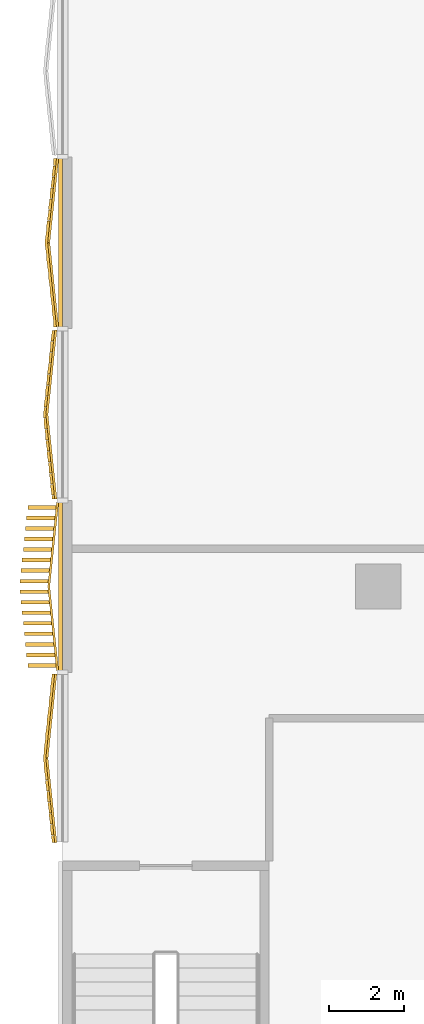
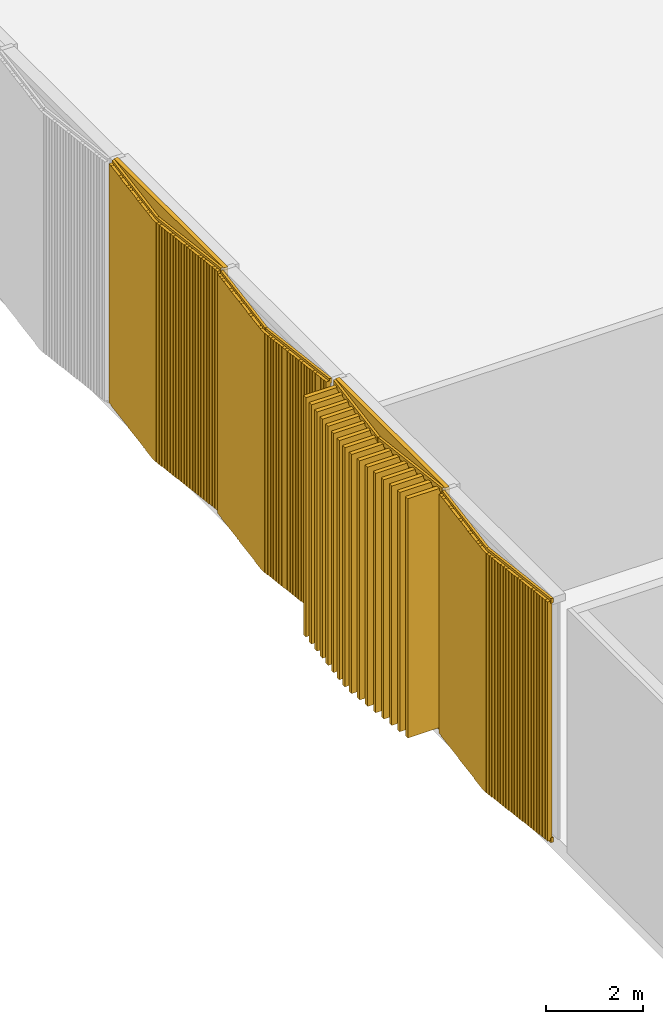
# One storey, part 22 of 32: 6 coverings.
"""IFC4 building model written with IfcOpenShell, lengths in metres."""

import ifcopenshell
import ifcopenshell.guid

model = None  # the IFC model being written
_history = None  # IfcOwnerHistory: only IFC2X3 demands one
_inside = {}  # id of a spatial element -> (the spatial element, [elements in it])
_under = {}  # id of a project, library or spatial element -> (it, [spatial elements below it])
_declared = {}  # id of a project -> (the project, [libraries it declares])
_typed = {}  # id of a type object -> (the type object, [elements of that type])
_made_of = {}  # id of a material, layer set ... -> (it, [elements and type objects made of it])


def new_model(schema):
    """Start an empty IFC model of exactly this schema.

    Asked for "IFC4X3", IfcOpenShell would pick the latest addendum, in which some entities
    have other attributes; the version numbers below select the first issue.
    IFC2X3 requires an IfcOwnerHistory on every rooted entity: one is made here for all.
    """
    global model, _history
    if schema == "IFC4X3":
        model = ifcopenshell.file(schema_version=(4, 3, 0, 0))
    else:
        model = ifcopenshell.file(schema=schema)
    _inside.clear()
    _under.clear()
    _declared.clear()
    _typed.clear()
    _made_of.clear()
    _history = None
    if model.schema == "IFC2X3":
        org = make("IfcOrganization", Name="unknown")
        user = make(
            "IfcPersonAndOrganization",
            ThePerson=make("IfcPerson", FamilyName="unknown"),
            TheOrganization=org,
        )
        app = make(
            "IfcApplication",
            ApplicationDeveloper=org,
            Version="unknown",
            ApplicationFullName="unknown",
            ApplicationIdentifier="unknown",
        )
        _history = make(
            "IfcOwnerHistory",
            OwningUser=user,
            OwningApplication=app,
            ChangeAction="ADDED",
            CreationDate=0,
        )
    return model


def make(cls, **values):
    """One entity of the class cls with the attributes given. An attribute that is None is left unset."""
    return model.create_entity(
        cls, **{name: value for name, value in values.items() if value is not None}
    )


def rooted(cls, **values):
    """An entity with a GlobalId (a new one), such as an element, a storey or a relation."""
    return make(cls, GlobalId=ifcopenshell.guid.new(), OwnerHistory=_history, **values)


def si_unit(unit_type, name, prefix=None):
    """IfcSIUnit, for example si_unit("LENGTHUNIT", "METRE", prefix="MILLI")."""
    return make("IfcSIUnit", UnitType=unit_type, Prefix=prefix, Name=name)


def assignment(units):
    """IfcUnitAssignment: the units of a project."""
    return None if units is None else make("IfcUnitAssignment", Units=units)


def point(xyz):
    """IfcCartesianPoint."""
    return None if xyz is None else make("IfcCartesianPoint", Coordinates=xyz)


def direction(xyz):
    """IfcDirection."""
    return None if xyz is None else make("IfcDirection", DirectionRatios=xyz)


def frame(location, z_axis=None, x_axis=None):
    """IfcAxis2Placement3D, a coordinate frame: its origin and axes. An axis left out is left unset."""
    return make(
        "IfcAxis2Placement3D",
        Location=point(location),
        Axis=direction(z_axis),
        RefDirection=direction(x_axis),
    )


def frame_2d(location, x_axis=None):
    """IfcAxis2Placement2D, a coordinate frame in the plane: its origin and x axis."""
    return make(
        "IfcAxis2Placement2D", Location=point(location), RefDirection=direction(x_axis)
    )


def origin():
    """The frame at (0, 0, 0) with its axes left unset."""
    return frame((0.0, 0.0, 0.0))


def origin_2d():
    """The frame at (0, 0) in the plane with its x axis left unset."""
    return frame_2d((0.0, 0.0))


def place(relative_to, where):
    """IfcLocalPlacement: puts the frame where relative to a parent placement (None: the world)."""
    return make(
        "IfcLocalPlacement", PlacementRelTo=relative_to, RelativePlacement=where
    )


def context(
    kind, dimensions, precision=None, world=None, true_north=None, identifier=None
):
    """IfcGeometricRepresentationContext, for example the 3D "Model" context."""
    return make(
        "IfcGeometricRepresentationContext",
        ContextIdentifier=identifier,
        ContextType=kind,
        CoordinateSpaceDimension=dimensions,
        Precision=precision,
        WorldCoordinateSystem=world,
        TrueNorth=true_north,
    )


def subcontext(parent, identifier, kind, view, scale=None):
    """IfcGeometricRepresentationSubContext, for example "Body" below "Model"."""
    return make(
        "IfcGeometricRepresentationSubContext",
        ContextIdentifier=identifier,
        ContextType=kind,
        ParentContext=parent,
        TargetScale=scale,
        TargetView=view,
    )


def project(units=None, contexts=None):
    """IfcProject with its units and contexts."""
    return rooted(
        "IfcProject",
        Name="project",
        RepresentationContexts=contexts,
        UnitsInContext=assignment(units),
    )


def spatial(cls, under=None, at=None, **own):
    """A site, building, storey or space (cls), placed at a placement, below another one or the project."""
    s = rooted(cls, ObjectPlacement=at, **own)
    if under is not None:
        _under.setdefault(under.id(), (under, []))[1].append(s)
    return s


def profile(cls, at=None, kind="AREA", **sizes):
    """A parametric profile (cls). Its sizes go by their IFC names, for example OverallWidth=200.0."""
    return make(cls, ProfileType=kind, Position=at, **sizes)


def rectangle(**sizes):
    """IfcRectangleProfileDef."""
    return profile("IfcRectangleProfileDef", **sizes)


def extrude(swept, where, along, depth):
    """IfcExtrudedAreaSolid: the profile swept, set in the frame where, extruded along a direction by depth."""
    return make(
        "IfcExtrudedAreaSolid",
        SweptArea=swept,
        Position=where,
        ExtrudedDirection=direction(along),
        Depth=depth,
    )


def shape(context_of_items, identifier, shape_type, items):
    """IfcShapeRepresentation: the items that make up one representation, for example the "Body"."""
    return make(
        "IfcShapeRepresentation",
        ContextOfItems=context_of_items,
        RepresentationIdentifier=identifier,
        RepresentationType=shape_type,
        Items=items,
    )


def source(mapping_origin, context_of_items, identifier, shape_type, items):
    """IfcRepresentationMap: a shape defined once, which mapped items show again and again."""
    return make(
        "IfcRepresentationMap",
        MappingOrigin=mapping_origin,
        MappedRepresentation=shape(context_of_items, identifier, shape_type, items),
    )


def transform(
    local_origin,
    x_axis=None,
    y_axis=None,
    z_axis=None,
    scale=None,
    scale2=None,
    scale3=None,
    uniform=True,
):
    """IfcCartesianTransformationOperator3D, or its non-uniform kind. x_axis, y_axis, z_axis: its Axis1, 2, 3."""
    if uniform:
        return make(
            "IfcCartesianTransformationOperator3D",
            Axis1=direction(x_axis),
            Axis2=direction(y_axis),
            LocalOrigin=point(local_origin),
            Scale=scale,
            Axis3=direction(z_axis),
        )
    return make(
        "IfcCartesianTransformationOperator3DnonUniform",
        Axis1=direction(x_axis),
        Axis2=direction(y_axis),
        LocalOrigin=point(local_origin),
        Scale=scale,
        Axis3=direction(z_axis),
        Scale2=scale2,
        Scale3=scale3,
    )


def mapped(mapping_source, mapping_target):
    """IfcMappedItem: shows the shape of a source again, moved by a transform."""
    return make(
        "IfcMappedItem", MappingSource=mapping_source, MappingTarget=mapping_target
    )


def material(Name=None, Category=None):
    """IfcMaterial."""
    return make("IfcMaterial", Name=Name, Category=Category)


def layer(
    of_material, thickness, ventilated=None, Name=None, Category=None, Priority=None
):
    """IfcMaterialLayer: one layer of a wall or slab, of a material (None: an air gap)."""
    return make(
        "IfcMaterialLayer",
        Material=of_material,
        LayerThickness=thickness,
        IsVentilated=ventilated,
        Name=Name,
        Category=Category,
        Priority=Priority,
    )


def layer_set(layers, Name=None):
    """IfcMaterialLayerSet."""
    return make("IfcMaterialLayerSet", MaterialLayers=layers, LayerSetName=Name)


def made_of(thing, what):
    """Note that an element or type object is made of a material, layer set ...; save() writes the relation."""
    if what is not None:
        _made_of.setdefault(what.id(), (what, []))[1].append(thing)
    return thing


def type_object(cls, material=None, **own):
    """A type object (cls), such as IfcWallType, which elements share."""
    return made_of(rooted(cls, **own), material)


def element(
    cls,
    number,
    at=None,
    inside=None,
    cuts=None,
    type_object=None,
    material=None,
    context=None,
    identifier="Body",
    shape_type=None,
    held_by="IfcProductDefinitionShape",
    body=None,
    shapes=None,
    **own,
):
    """One element of the class cls, such as IfcWall. Its Tag is "e" and its number.

    at: its placement. inside: the storey or other place that contains it. cuts: it is an
    opening in that element (IfcRelVoidsElement). A single representation is given by context,
    identifier, shape_type and body (its items); several are given by shapes. held_by: the class
    of the entity that holds the representations. save() writes the other relations.
    """
    e = rooted(cls, Tag="e%d" % number, ObjectPlacement=at, **own)
    if body is not None:
        shapes = [shape(context, identifier, shape_type, body)]
    if shapes is not None:
        e.Representation = make(held_by, Representations=shapes)
    if inside is not None:
        _inside.setdefault(inside.id(), (inside, []))[1].append(e)
    if cuts is not None:
        rooted(
            "IfcRelVoidsElement", RelatingBuildingElement=cuts, RelatedOpeningElement=e
        )
    if type_object is not None:
        _typed.setdefault(type_object.id(), (type_object, []))[1].append(e)
    return made_of(e, material)


def aggregate(whole, parts):
    """IfcRelAggregates: a whole, such as a stair, and the parts it consists of."""
    return rooted("IfcRelAggregates", RelatingObject=whole, RelatedObjects=parts)


def save(model, path):
    """Write the relations noted so far, then the file.

    IfcRelAggregates (storeys below a building ...), IfcRelContainedInSpatialStructure (elements
    in a storey), IfcRelDefinesByType, IfcRelAssociatesMaterial and IfcRelDeclares: one each for
    every whole, place, type object, material and project.
    """
    for whole, parts in _under.values():
        aggregate(whole, parts)
    for where, things in _inside.values():
        rooted(
            "IfcRelContainedInSpatialStructure",
            RelatedElements=things,
            RelatingStructure=where,
        )
    for kind, things in _typed.values():
        rooted("IfcRelDefinesByType", RelatedObjects=things, RelatingType=kind)
    for what, things in _made_of.values():
        rooted("IfcRelAssociatesMaterial", RelatedObjects=things, RelatingMaterial=what)
    for by, libraries in _declared.values():
        rooted("IfcRelDeclares", RelatingContext=by, RelatedDefinitions=libraries)
    model.write(path)


model = new_model("IFC4")

# Units and contexts
model_context = context("Model", 3, precision=1e-05, world=origin(), true_north=direction((0.0, 1.0)))
body_context = subcontext(model_context, "Body", "Model", "MODEL_VIEW")
ifc_project = project(units=[si_unit("LENGTHUNIT", "METRE"), si_unit("AREAUNIT", "SQUARE_METRE"), si_unit("VOLUMEUNIT", "CUBIC_METRE"), si_unit("PLANEANGLEUNIT", "RADIAN"), si_unit("MASSUNIT", "GRAM", prefix="KILO")], contexts=[model_context])

# Site, building, storey
site_placement = place(None, origin())
site = spatial("IfcSite", under=ifc_project, at=site_placement, CompositionType="ELEMENT")
building_placement = place(site_placement, origin())
building = spatial("IfcBuilding", under=site, at=building_placement, Name="Tamra Quay Hotel Tower", CompositionType="ELEMENT")
storey_placement = place(building_placement, frame((0.0, 0.0, 7.5)))
storey = spatial("IfcBuildingStorey", under=building, at=storey_placement, Name="L01", CompositionType="ELEMENT", Elevation=7.5)

# Coverings
ifc_material_1 = material(Name="Precast concrete M60 terracotta-coloured pierced relief", Category="masonry")
ifc_layer = layer(ifc_material_1, 0.10009765625)
ifc_layer_set = layer_set([ifc_layer], Name="PIERCED RELIEF PANEL 100")
covering_type_1 = type_object("IfcCoveringType", Name="PIERCED RELIEF PANEL 100", PredefinedType="CLADDING", material=ifc_layer_set)
for number, where, z_axis, x_axis, name in (
    (1, (-89.14990234375, -6.857177734375, 0.0), (0.0, 0.0, 1.0), (0.0, -1.0, 0.0), "Relief panel L01.W.06"),
    (2, (-89.14990234375, -16.0, 0.0), (0.0, 0.0, 1.0), (0.0, -1.0, 0.0), "Relief panel L01.W.08"),
):
    element("IfcCovering", number, at=place(storey_placement, frame(where, z_axis=z_axis, x_axis=x_axis)), inside=storey, type_object=covering_type_1, Name=name, PredefinedType="CLADDING", context=body_context, shape_type="SweptSolid", body=[
        extrude(rectangle(XDim=4.551513671875, YDim=0.10009765625, at=origin_2d()), origin(), (0.0, 0.0, 1.0), 6.14990234375),
    ])
ifc_material_2 = material(Name="Terracotta baguette extruded", Category="masonry")
covering_type_2 = type_object("IfcCoveringType", Name="BAGUETTE SCREEN PODIUM-SHALLOW H6150", PredefinedType="USERDEFINED", material=ifc_material_2)
shared_shape_1 = source(origin(), body_context, "Body", "SweptSolid", [
    extrude(rectangle(XDim=2.2548828125, YDim=0.06005859375, at=frame_2d((1.12744140625, 0.030029296875))), frame((-2.248779296875, -0.0576171875, -0.1201171875), z_axis=(0.0, 0.0, 1.0), x_axis=(0.994521895368, -0.104528463268, 0.0)), (0.0, 0.0, 1.0), 0.1201171875),
    extrude(rectangle(XDim=2.2548828125, YDim=0.06005859375, at=frame_2d((1.12744140625, 0.030029296875))), frame((-2.248779296875, -0.0576171875, -6.14990234375), z_axis=(0.0, 0.0, 1.0), x_axis=(0.994521895368, -0.104528463268, 0.0)), (0.0, 0.0, 1.0), 0.1201171875),
    extrude(rectangle(XDim=0.094970703125, YDim=0.10009765625, at=frame_2d((0.04736328125, 0.050048828125))), frame((-2.2412109375, -0.133056640625, -6.090087890625)), (0.0, 0.0, 1.0), 6.030029296875),
    extrude(rectangle(XDim=0.094970703125, YDim=0.10009765625, at=frame_2d((0.04736328125, 0.050048828125))), frame((-2.143798828125, -0.143310546875, -6.090087890625)), (0.0, 0.0, 1.0), 6.030029296875),
    extrude(rectangle(XDim=0.094970703125, YDim=0.10009765625, at=frame_2d((0.04736328125, 0.050048828125))), frame((-2.046142578125, -0.153564453125, -6.090087890625)), (0.0, 0.0, 1.0), 6.030029296875),
    extrude(rectangle(XDim=0.094970703125, YDim=0.10009765625, at=frame_2d((0.04736328125, 0.050048828125))), frame((-1.94873046875, -0.163818359375, -6.090087890625)), (0.0, 0.0, 1.0), 6.030029296875),
    extrude(rectangle(XDim=0.094970703125, YDim=0.10009765625, at=frame_2d((0.04736328125, 0.050048828125))), frame((-1.851318359375, -0.174072265625, -6.090087890625)), (0.0, 0.0, 1.0), 6.030029296875),
    extrude(rectangle(XDim=0.094970703125, YDim=0.10009765625, at=frame_2d((0.04736328125, 0.050048828125))), frame((-1.753662109375, -0.184326171875, -6.090087890625)), (0.0, 0.0, 1.0), 6.030029296875),
    extrude(rectangle(XDim=0.094970703125, YDim=0.10009765625, at=frame_2d((0.04736328125, 0.050048828125))), frame((-1.65625, -0.194580078125, -6.090087890625)), (0.0, 0.0, 1.0), 6.030029296875),
    extrude(rectangle(XDim=0.094970703125, YDim=0.10009765625, at=frame_2d((0.04736328125, 0.050048828125))), frame((-1.558837890625, -0.204833984375, -6.090087890625)), (0.0, 0.0, 1.0), 6.030029296875),
    extrude(rectangle(XDim=0.094970703125, YDim=0.10009765625, at=frame_2d((0.04736328125, 0.050048828125))), frame((-1.461181640625, -0.215087890625, -6.090087890625)), (0.0, 0.0, 1.0), 6.030029296875),
    extrude(rectangle(XDim=0.094970703125, YDim=0.10009765625, at=frame_2d((0.04736328125, 0.050048828125))), frame((-1.36376953125, -0.225341796875, -6.090087890625)), (0.0, 0.0, 1.0), 6.030029296875),
    extrude(rectangle(XDim=0.094970703125, YDim=0.10009765625, at=frame_2d((0.04736328125, 0.050048828125))), frame((-1.266357421875, -0.235595703125, -6.090087890625)), (0.0, 0.0, 1.0), 6.030029296875),
    extrude(rectangle(XDim=0.094970703125, YDim=0.10009765625, at=frame_2d((0.04736328125, 0.050048828125))), frame((-1.168701171875, -0.245849609375, -6.090087890625)), (0.0, 0.0, 1.0), 6.030029296875),
    extrude(rectangle(XDim=0.094970703125, YDim=0.10009765625, at=frame_2d((0.04736328125, 0.050048828125))), frame((-1.0712890625, -0.256103515625, -6.090087890625)), (0.0, 0.0, 1.0), 6.030029296875),
    extrude(rectangle(XDim=0.094970703125, YDim=0.10009765625, at=frame_2d((0.04736328125, 0.050048828125))), frame((-0.9736328125, -0.266357421875, -6.090087890625)), (0.0, 0.0, 1.0), 6.030029296875),
    extrude(rectangle(XDim=0.094970703125, YDim=0.10009765625, at=frame_2d((0.04736328125, 0.050048828125))), frame((-0.876220703125, -0.276611328125, -6.090087890625)), (0.0, 0.0, 1.0), 6.030029296875),
    extrude(rectangle(XDim=0.094970703125, YDim=0.10009765625, at=frame_2d((0.04736328125, 0.050048828125))), frame((-0.77880859375, -0.286865234375, -6.090087890625)), (0.0, 0.0, 1.0), 6.030029296875),
    extrude(rectangle(XDim=0.094970703125, YDim=0.10009765625, at=frame_2d((0.04736328125, 0.050048828125))), frame((-0.68115234375, -0.297119140625, -6.090087890625)), (0.0, 0.0, 1.0), 6.030029296875),
    extrude(rectangle(XDim=0.094970703125, YDim=0.10009765625, at=frame_2d((0.04736328125, 0.050048828125))), frame((-0.583740234375, -0.307373046875, -6.090087890625)), (0.0, 0.0, 1.0), 6.030029296875),
    extrude(rectangle(XDim=0.094970703125, YDim=0.10009765625, at=frame_2d((0.04736328125, 0.050048828125))), frame((-0.486328125, -0.317626953125, -6.090087890625)), (0.0, 0.0, 1.0), 6.030029296875),
    extrude(rectangle(XDim=0.094970703125, YDim=0.10009765625, at=frame_2d((0.04736328125, 0.050048828125))), frame((-0.388671875, -0.327880859375, -6.090087890625)), (0.0, 0.0, 1.0), 6.030029296875),
    extrude(rectangle(XDim=0.094970703125, YDim=0.10009765625, at=frame_2d((0.04736328125, 0.050048828125))), frame((-0.291259765625, -0.338134765625, -6.090087890625)), (0.0, 0.0, 1.0), 6.030029296875),
    extrude(rectangle(XDim=0.094970703125, YDim=0.10009765625, at=frame_2d((0.04736328125, 0.050048828125))), frame((-0.19384765625, -0.348388671875, -6.090087890625)), (0.0, 0.0, 1.0), 6.030029296875),
    extrude(rectangle(XDim=0.094970703125, YDim=0.10009765625, at=frame_2d((0.04736328125, 0.050048828125))), frame((-0.09619140625, -0.358642578125, -6.090087890625)), (0.0, 0.0, 1.0), 6.030029296875),
    extrude(rectangle(XDim=2.2548828125, YDim=0.06005859375, at=frame_2d((1.12744140625, 0.030029296875))), frame((0.00634765625, -0.29345703125, -0.1201171875), z_axis=(0.0, 0.0, 1.0), x_axis=(0.994521895368, 0.104528463268, 0.0)), (0.0, 0.0, 1.0), 0.1201171875),
    extrude(rectangle(XDim=2.2548828125, YDim=0.06005859375, at=frame_2d((1.12744140625, 0.030029296875))), frame((0.00634765625, -0.29345703125, -6.14990234375), z_axis=(0.0, 0.0, 1.0), x_axis=(0.994521895368, 0.104528463268, 0.0)), (0.0, 0.0, 1.0), 0.1201171875),
    extrude(rectangle(XDim=0.094970703125, YDim=0.10009765625, at=frame_2d((0.04736328125, 0.050048828125))), frame((0.001220703125, -0.358642578125, -6.090087890625)), (0.0, 0.0, 1.0), 6.030029296875),
    extrude(rectangle(XDim=0.094970703125, YDim=0.10009765625, at=frame_2d((0.04736328125, 0.050048828125))), frame((0.0986328125, -0.348388671875, -6.090087890625)), (0.0, 0.0, 1.0), 6.030029296875),
    extrude(rectangle(XDim=0.094970703125, YDim=0.10009765625, at=frame_2d((0.04736328125, 0.050048828125))), frame((0.1962890625, -0.338134765625, -6.090087890625)), (0.0, 0.0, 1.0), 6.030029296875),
    extrude(rectangle(XDim=0.094970703125, YDim=0.10009765625, at=frame_2d((0.04736328125, 0.050048828125))), frame((0.293701171875, -0.327880859375, -6.090087890625)), (0.0, 0.0, 1.0), 6.030029296875),
    extrude(rectangle(XDim=0.094970703125, YDim=0.10009765625, at=frame_2d((0.04736328125, 0.050048828125))), frame((0.391357421875, -0.317626953125, -6.090087890625)), (0.0, 0.0, 1.0), 6.030029296875),
    extrude(rectangle(XDim=0.094970703125, YDim=0.10009765625, at=frame_2d((0.04736328125, 0.050048828125))), frame((0.48876953125, -0.307373046875, -6.090087890625)), (0.0, 0.0, 1.0), 6.030029296875),
    extrude(rectangle(XDim=0.094970703125, YDim=0.10009765625, at=frame_2d((0.04736328125, 0.050048828125))), frame((0.586181640625, -0.297119140625, -6.090087890625)), (0.0, 0.0, 1.0), 6.030029296875),
    extrude(rectangle(XDim=0.094970703125, YDim=0.10009765625, at=frame_2d((0.04736328125, 0.050048828125))), frame((0.683837890625, -0.286865234375, -6.090087890625)), (0.0, 0.0, 1.0), 6.030029296875),
    extrude(rectangle(XDim=0.094970703125, YDim=0.10009765625, at=frame_2d((0.04736328125, 0.050048828125))), frame((0.78125, -0.276611328125, -6.090087890625)), (0.0, 0.0, 1.0), 6.030029296875),
    extrude(rectangle(XDim=0.094970703125, YDim=0.10009765625, at=frame_2d((0.04736328125, 0.050048828125))), frame((0.878662109375, -0.266357421875, -6.090087890625)), (0.0, 0.0, 1.0), 6.030029296875),
    extrude(rectangle(XDim=0.094970703125, YDim=0.10009765625, at=frame_2d((0.04736328125, 0.050048828125))), frame((0.976318359375, -0.256103515625, -6.090087890625)), (0.0, 0.0, 1.0), 6.030029296875),
    extrude(rectangle(XDim=0.094970703125, YDim=0.10009765625, at=frame_2d((0.04736328125, 0.050048828125))), frame((1.07373046875, -0.245849609375, -6.090087890625)), (0.0, 0.0, 1.0), 6.030029296875),
    extrude(rectangle(XDim=0.094970703125, YDim=0.10009765625, at=frame_2d((0.04736328125, 0.050048828125))), frame((1.171142578125, -0.235595703125, -6.090087890625)), (0.0, 0.0, 1.0), 6.030029296875),
    extrude(rectangle(XDim=0.094970703125, YDim=0.10009765625, at=frame_2d((0.04736328125, 0.050048828125))), frame((1.268798828125, -0.225341796875, -6.090087890625)), (0.0, 0.0, 1.0), 6.030029296875),
    extrude(rectangle(XDim=0.094970703125, YDim=0.10009765625, at=frame_2d((0.04736328125, 0.050048828125))), frame((1.3662109375, -0.215087890625, -6.090087890625)), (0.0, 0.0, 1.0), 6.030029296875),
    extrude(rectangle(XDim=0.094970703125, YDim=0.10009765625, at=frame_2d((0.04736328125, 0.050048828125))), frame((1.4638671875, -0.204833984375, -6.090087890625)), (0.0, 0.0, 1.0), 6.030029296875),
    extrude(rectangle(XDim=0.094970703125, YDim=0.10009765625, at=frame_2d((0.04736328125, 0.050048828125))), frame((1.561279296875, -0.194580078125, -6.090087890625)), (0.0, 0.0, 1.0), 6.030029296875),
    extrude(rectangle(XDim=0.094970703125, YDim=0.10009765625, at=frame_2d((0.04736328125, 0.050048828125))), frame((1.65869140625, -0.184326171875, -6.090087890625)), (0.0, 0.0, 1.0), 6.030029296875),
    extrude(rectangle(XDim=0.094970703125, YDim=0.10009765625, at=frame_2d((0.04736328125, 0.050048828125))), frame((1.75634765625, -0.174072265625, -6.090087890625)), (0.0, 0.0, 1.0), 6.030029296875),
    extrude(rectangle(XDim=0.094970703125, YDim=0.10009765625, at=frame_2d((0.04736328125, 0.050048828125))), frame((1.853759765625, -0.163818359375, -6.090087890625)), (0.0, 0.0, 1.0), 6.030029296875),
    extrude(rectangle(XDim=0.094970703125, YDim=0.10009765625, at=frame_2d((0.04736328125, 0.050048828125))), frame((1.951171875, -0.153564453125, -6.090087890625)), (0.0, 0.0, 1.0), 6.030029296875),
    extrude(rectangle(XDim=0.094970703125, YDim=0.10009765625, at=frame_2d((0.04736328125, 0.050048828125))), frame((2.048828125, -0.143310546875, -6.090087890625)), (0.0, 0.0, 1.0), 6.030029296875),
    extrude(rectangle(XDim=0.094970703125, YDim=0.10009765625, at=frame_2d((0.04736328125, 0.050048828125))), frame((2.146240234375, -0.133056640625, -6.090087890625)), (0.0, 0.0, 1.0), 6.030029296875),
])
for number, where, z_axis, x_axis, name in (
    (3, (-89.248046875, -11.428466796875, 6.14990234375), (0.0, 0.0, 1.0), (0.0, -1.0, 0.0), "Baguette screen L01.W.f03"),
    (4, (-89.248046875, -20.571533203125, 6.14990234375), (0.0, 0.0, 1.0), (0.0, -1.0, 0.0), "Baguette screen L01.W.f04"),
):
    element("IfcCovering", number, at=place(storey_placement, frame(where, z_axis=z_axis, x_axis=x_axis)), inside=storey, type_object=covering_type_2, Name=name, ObjectType="BAGUETTE SCREEN", PredefinedType="USERDEFINED", context=body_context, shape_type="MappedRepresentation", body=[
        mapped(shared_shape_1, transform((0.0, 0.0, 0.0), scale=1.0)),
    ])
covering_type_3 = type_object("IfcCoveringType", Name="BAGUETTE SCREEN SW-SHALLOW H6150", PredefinedType="USERDEFINED", material=ifc_material_2)
shared_shape_2 = source(origin(), body_context, "Body", "SweptSolid", [
    extrude(rectangle(XDim=2.2548828125, YDim=0.06005859375, at=frame_2d((1.12744140625, 0.030029296875))), frame((-2.248779296875, -0.0576171875, -0.1201171875), z_axis=(0.0, 0.0, 1.0), x_axis=(0.994521895368, -0.104528463268, 0.0)), (0.0, 0.0, 1.0), 0.1201171875),
    extrude(rectangle(XDim=2.2548828125, YDim=0.06005859375, at=frame_2d((1.12744140625, 0.030029296875))), frame((-2.248779296875, -0.0576171875, -6.14990234375), z_axis=(0.0, 0.0, 1.0), x_axis=(0.994521895368, -0.104528463268, 0.0)), (0.0, 0.0, 1.0), 0.1201171875),
    extrude(rectangle(XDim=0.094970703125, YDim=0.10009765625, at=frame_2d((0.04736328125, 0.050048828125))), frame((-2.2412109375, -0.133056640625, -6.090087890625)), (0.0, 0.0, 1.0), 6.030029296875),
    extrude(rectangle(XDim=0.094970703125, YDim=0.10009765625, at=frame_2d((0.04736328125, 0.050048828125))), frame((-2.143798828125, -0.143310546875, -6.090087890625)), (0.0, 0.0, 1.0), 6.030029296875),
    extrude(rectangle(XDim=0.094970703125, YDim=0.10009765625, at=frame_2d((0.04736328125, 0.050048828125))), frame((-2.046142578125, -0.153564453125, -6.090087890625)), (0.0, 0.0, 1.0), 6.030029296875),
    extrude(rectangle(XDim=0.094970703125, YDim=0.10009765625, at=frame_2d((0.04736328125, 0.050048828125))), frame((-1.94873046875, -0.163818359375, -6.090087890625)), (0.0, 0.0, 1.0), 6.030029296875),
    extrude(rectangle(XDim=0.094970703125, YDim=0.10009765625, at=frame_2d((0.04736328125, 0.050048828125))), frame((-1.851318359375, -0.174072265625, -6.090087890625)), (0.0, 0.0, 1.0), 6.030029296875),
    extrude(rectangle(XDim=0.094970703125, YDim=0.10009765625, at=frame_2d((0.04736328125, 0.050048828125))), frame((-1.753662109375, -0.184326171875, -6.090087890625)), (0.0, 0.0, 1.0), 6.030029296875),
    extrude(rectangle(XDim=0.094970703125, YDim=0.10009765625, at=frame_2d((0.04736328125, 0.050048828125))), frame((-1.65625, -0.194580078125, -6.090087890625)), (0.0, 0.0, 1.0), 6.030029296875),
    extrude(rectangle(XDim=0.094970703125, YDim=0.10009765625, at=frame_2d((0.04736328125, 0.050048828125))), frame((-1.558837890625, -0.204833984375, -6.090087890625)), (0.0, 0.0, 1.0), 6.030029296875),
    extrude(rectangle(XDim=0.094970703125, YDim=0.10009765625, at=frame_2d((0.04736328125, 0.050048828125))), frame((-1.461181640625, -0.215087890625, -6.090087890625)), (0.0, 0.0, 1.0), 6.030029296875),
    extrude(rectangle(XDim=0.094970703125, YDim=0.10009765625, at=frame_2d((0.04736328125, 0.050048828125))), frame((-1.36376953125, -0.225341796875, -6.090087890625)), (0.0, 0.0, 1.0), 6.030029296875),
    extrude(rectangle(XDim=0.094970703125, YDim=0.10009765625, at=frame_2d((0.04736328125, 0.050048828125))), frame((-1.266357421875, -0.235595703125, -6.090087890625)), (0.0, 0.0, 1.0), 6.030029296875),
    extrude(rectangle(XDim=0.094970703125, YDim=0.10009765625, at=frame_2d((0.04736328125, 0.050048828125))), frame((-1.168701171875, -0.245849609375, -6.090087890625)), (0.0, 0.0, 1.0), 6.030029296875),
    extrude(rectangle(XDim=0.094970703125, YDim=0.10009765625, at=frame_2d((0.04736328125, 0.050048828125))), frame((-1.0712890625, -0.256103515625, -6.090087890625)), (0.0, 0.0, 1.0), 6.030029296875),
    extrude(rectangle(XDim=0.094970703125, YDim=0.10009765625, at=frame_2d((0.04736328125, 0.050048828125))), frame((-0.9736328125, -0.266357421875, -6.090087890625)), (0.0, 0.0, 1.0), 6.030029296875),
    extrude(rectangle(XDim=0.094970703125, YDim=0.10009765625, at=frame_2d((0.04736328125, 0.050048828125))), frame((-0.876220703125, -0.276611328125, -6.090087890625)), (0.0, 0.0, 1.0), 6.030029296875),
    extrude(rectangle(XDim=0.094970703125, YDim=0.10009765625, at=frame_2d((0.04736328125, 0.050048828125))), frame((-0.77880859375, -0.286865234375, -6.090087890625)), (0.0, 0.0, 1.0), 6.030029296875),
    extrude(rectangle(XDim=0.094970703125, YDim=0.10009765625, at=frame_2d((0.04736328125, 0.050048828125))), frame((-0.68115234375, -0.297119140625, -6.090087890625)), (0.0, 0.0, 1.0), 6.030029296875),
    extrude(rectangle(XDim=0.094970703125, YDim=0.10009765625, at=frame_2d((0.04736328125, 0.050048828125))), frame((-0.583740234375, -0.307373046875, -6.090087890625)), (0.0, 0.0, 1.0), 6.030029296875),
    extrude(rectangle(XDim=0.094970703125, YDim=0.10009765625, at=frame_2d((0.04736328125, 0.050048828125))), frame((-0.486328125, -0.317626953125, -6.090087890625)), (0.0, 0.0, 1.0), 6.030029296875),
    extrude(rectangle(XDim=0.094970703125, YDim=0.10009765625, at=frame_2d((0.04736328125, 0.050048828125))), frame((-0.388671875, -0.327880859375, -6.090087890625)), (0.0, 0.0, 1.0), 6.030029296875),
    extrude(rectangle(XDim=0.094970703125, YDim=0.10009765625, at=frame_2d((0.04736328125, 0.050048828125))), frame((-0.291259765625, -0.338134765625, -6.090087890625)), (0.0, 0.0, 1.0), 6.030029296875),
    extrude(rectangle(XDim=0.094970703125, YDim=0.10009765625, at=frame_2d((0.04736328125, 0.050048828125))), frame((-0.19384765625, -0.348388671875, -6.090087890625)), (0.0, 0.0, 1.0), 6.030029296875),
    extrude(rectangle(XDim=0.094970703125, YDim=0.10009765625, at=frame_2d((0.04736328125, 0.050048828125))), frame((-0.09619140625, -0.358642578125, -6.090087890625)), (0.0, 0.0, 1.0), 6.030029296875),
    extrude(rectangle(XDim=2.2548828125, YDim=0.06005859375, at=frame_2d((1.12744140625, 0.030029296875))), frame((0.00634765625, -0.29345703125, -0.1201171875), z_axis=(0.0, 0.0, 1.0), x_axis=(0.994521895368, 0.104528463268, 0.0)), (0.0, 0.0, 1.0), 0.1201171875),
    extrude(rectangle(XDim=2.2548828125, YDim=0.06005859375, at=frame_2d((1.12744140625, 0.030029296875))), frame((0.00634765625, -0.29345703125, -6.14990234375), z_axis=(0.0, 0.0, 1.0), x_axis=(0.994521895368, 0.104528463268, 0.0)), (0.0, 0.0, 1.0), 0.1201171875),
    extrude(rectangle(XDim=0.094970703125, YDim=0.10009765625, at=frame_2d((0.04736328125, 0.050048828125))), frame((0.001220703125, -0.358642578125, -6.090087890625)), (0.0, 0.0, 1.0), 6.030029296875),
    extrude(rectangle(XDim=0.094970703125, YDim=0.10009765625, at=frame_2d((0.04736328125, 0.050048828125))), frame((0.0986328125, -0.348388671875, -6.090087890625)), (0.0, 0.0, 1.0), 6.030029296875),
    extrude(rectangle(XDim=0.094970703125, YDim=0.10009765625, at=frame_2d((0.04736328125, 0.050048828125))), frame((0.1962890625, -0.338134765625, -6.090087890625)), (0.0, 0.0, 1.0), 6.030029296875),
    extrude(rectangle(XDim=0.094970703125, YDim=0.10009765625, at=frame_2d((0.04736328125, 0.050048828125))), frame((0.293701171875, -0.327880859375, -6.090087890625)), (0.0, 0.0, 1.0), 6.030029296875),
    extrude(rectangle(XDim=0.094970703125, YDim=0.10009765625, at=frame_2d((0.04736328125, 0.050048828125))), frame((0.391357421875, -0.317626953125, -6.090087890625)), (0.0, 0.0, 1.0), 6.030029296875),
    extrude(rectangle(XDim=0.094970703125, YDim=0.10009765625, at=frame_2d((0.04736328125, 0.050048828125))), frame((0.48876953125, -0.307373046875, -6.090087890625)), (0.0, 0.0, 1.0), 6.030029296875),
    extrude(rectangle(XDim=0.094970703125, YDim=0.10009765625, at=frame_2d((0.04736328125, 0.050048828125))), frame((0.586181640625, -0.297119140625, -6.090087890625)), (0.0, 0.0, 1.0), 6.030029296875),
    extrude(rectangle(XDim=0.094970703125, YDim=0.10009765625, at=frame_2d((0.04736328125, 0.050048828125))), frame((0.683837890625, -0.286865234375, -6.090087890625)), (0.0, 0.0, 1.0), 6.030029296875),
    extrude(rectangle(XDim=0.094970703125, YDim=0.10009765625, at=frame_2d((0.04736328125, 0.050048828125))), frame((0.78125, -0.276611328125, -6.090087890625)), (0.0, 0.0, 1.0), 6.030029296875),
    extrude(rectangle(XDim=0.094970703125, YDim=0.10009765625, at=frame_2d((0.04736328125, 0.050048828125))), frame((0.878662109375, -0.266357421875, -6.090087890625)), (0.0, 0.0, 1.0), 6.030029296875),
    extrude(rectangle(XDim=0.094970703125, YDim=0.10009765625, at=frame_2d((0.04736328125, 0.050048828125))), frame((0.976318359375, -0.256103515625, -6.090087890625)), (0.0, 0.0, 1.0), 6.030029296875),
    extrude(rectangle(XDim=0.094970703125, YDim=0.10009765625, at=frame_2d((0.04736328125, 0.050048828125))), frame((1.07373046875, -0.245849609375, -6.090087890625)), (0.0, 0.0, 1.0), 6.030029296875),
    extrude(rectangle(XDim=0.094970703125, YDim=0.10009765625, at=frame_2d((0.04736328125, 0.050048828125))), frame((1.171142578125, -0.235595703125, -6.090087890625)), (0.0, 0.0, 1.0), 6.030029296875),
    extrude(rectangle(XDim=0.094970703125, YDim=0.10009765625, at=frame_2d((0.04736328125, 0.050048828125))), frame((1.268798828125, -0.225341796875, -6.090087890625)), (0.0, 0.0, 1.0), 6.030029296875),
    extrude(rectangle(XDim=0.094970703125, YDim=0.10009765625, at=frame_2d((0.04736328125, 0.050048828125))), frame((1.3662109375, -0.215087890625, -6.090087890625)), (0.0, 0.0, 1.0), 6.030029296875),
    extrude(rectangle(XDim=0.094970703125, YDim=0.10009765625, at=frame_2d((0.04736328125, 0.050048828125))), frame((1.4638671875, -0.204833984375, -6.090087890625)), (0.0, 0.0, 1.0), 6.030029296875),
    extrude(rectangle(XDim=0.094970703125, YDim=0.10009765625, at=frame_2d((0.04736328125, 0.050048828125))), frame((1.561279296875, -0.194580078125, -6.090087890625)), (0.0, 0.0, 1.0), 6.030029296875),
    extrude(rectangle(XDim=0.094970703125, YDim=0.10009765625, at=frame_2d((0.04736328125, 0.050048828125))), frame((1.65869140625, -0.184326171875, -6.090087890625)), (0.0, 0.0, 1.0), 6.030029296875),
    extrude(rectangle(XDim=0.094970703125, YDim=0.10009765625, at=frame_2d((0.04736328125, 0.050048828125))), frame((1.75634765625, -0.174072265625, -6.090087890625)), (0.0, 0.0, 1.0), 6.030029296875),
    extrude(rectangle(XDim=0.094970703125, YDim=0.10009765625, at=frame_2d((0.04736328125, 0.050048828125))), frame((1.853759765625, -0.163818359375, -6.090087890625)), (0.0, 0.0, 1.0), 6.030029296875),
    extrude(rectangle(XDim=0.094970703125, YDim=0.10009765625, at=frame_2d((0.04736328125, 0.050048828125))), frame((1.951171875, -0.153564453125, -6.090087890625)), (0.0, 0.0, 1.0), 6.030029296875),
    extrude(rectangle(XDim=0.094970703125, YDim=0.10009765625, at=frame_2d((0.04736328125, 0.050048828125))), frame((2.048828125, -0.143310546875, -6.090087890625)), (0.0, 0.0, 1.0), 6.030029296875),
    extrude(rectangle(XDim=0.094970703125, YDim=0.10009765625, at=frame_2d((0.04736328125, 0.050048828125))), frame((2.146240234375, -0.133056640625, -6.090087890625)), (0.0, 0.0, 1.0), 6.030029296875),
])
covering_1_placement = place(storey_placement, frame((-89.199951171875, -6.857177734375, 6.14990234375), z_axis=(0.0, 0.0, 1.0), x_axis=(0.0, -1.0, 0.0)))
element("IfcCovering", 5, at=covering_1_placement, inside=storey, type_object=covering_type_3, Name="Baguette screen wing.L01.W.06", ObjectType="BAGUETTE SCREEN", PredefinedType="USERDEFINED", context=body_context, shape_type="MappedRepresentation", body=[
    mapped(shared_shape_2, transform((0.0, 0.0, 0.0), scale=1.0)),
])
covering_type_4 = type_object("IfcCoveringType", Name="BAGUETTE SCREEN SW-DEEP H6150", PredefinedType="USERDEFINED", material=ifc_material_2)
shared_shape_3 = source(origin(), body_context, "Body", "SweptSolid", [
    extrude(rectangle(XDim=2.2548828125, YDim=0.06005859375, at=frame_2d((1.12744140625, 0.030029296875))), frame((-2.248779296875, -0.0576171875, -0.1201171875), z_axis=(0.0, 0.0, 1.0), x_axis=(0.994521895368, -0.104528463268, 0.0)), (0.0, 0.0, 1.0), 0.1201171875),
    extrude(rectangle(XDim=2.2548828125, YDim=0.06005859375, at=frame_2d((1.12744140625, 0.030029296875))), frame((-2.248779296875, -0.0576171875, -6.14990234375), z_axis=(0.0, 0.0, 1.0), x_axis=(0.994521895368, -0.104528463268, 0.0)), (0.0, 0.0, 1.0), 0.1201171875),
    extrude(rectangle(XDim=0.10009765625, YDim=0.780029296875, at=frame_2d((0.050048828125, 0.39013671875))), frame((-2.15234375, -0.82275390625, -6.090087890625)), (0.0, 0.0, 1.0), 6.030029296875),
    extrude(rectangle(XDim=0.10009765625, YDim=0.780029296875, at=frame_2d((0.050048828125, 0.39013671875))), frame((-1.8720703125, -0.852294921875, -6.090087890625)), (0.0, 0.0, 1.0), 6.030029296875),
    extrude(rectangle(XDim=0.10009765625, YDim=0.780029296875, at=frame_2d((0.050048828125, 0.39013671875))), frame((-1.591796875, -0.881591796875, -6.090087890625)), (0.0, 0.0, 1.0), 6.030029296875),
    extrude(rectangle(XDim=0.10009765625, YDim=0.780029296875, at=frame_2d((0.050048828125, 0.39013671875))), frame((-1.3115234375, -0.9111328125, -6.090087890625)), (0.0, 0.0, 1.0), 6.030029296875),
    extrude(rectangle(XDim=0.10009765625, YDim=0.780029296875, at=frame_2d((0.050048828125, 0.39013671875))), frame((-1.031005859375, -0.940673828125, -6.090087890625)), (0.0, 0.0, 1.0), 6.030029296875),
    extrude(rectangle(XDim=0.10009765625, YDim=0.780029296875, at=frame_2d((0.050048828125, 0.39013671875))), frame((-0.750732421875, -0.969970703125, -6.090087890625)), (0.0, 0.0, 1.0), 6.030029296875),
    extrude(rectangle(XDim=0.10009765625, YDim=0.780029296875, at=frame_2d((0.050048828125, 0.39013671875))), frame((-0.470458984375, -0.99951171875, -6.090087890625)), (0.0, 0.0, 1.0), 6.030029296875),
    extrude(rectangle(XDim=0.10009765625, YDim=0.780029296875, at=frame_2d((0.050048828125, 0.39013671875))), frame((-0.190185546875, -1.029052734375, -6.090087890625)), (0.0, 0.0, 1.0), 6.030029296875),
    extrude(rectangle(XDim=2.2548828125, YDim=0.06005859375, at=frame_2d((1.12744140625, 0.030029296875))), frame((0.00634765625, -0.29345703125, -0.1201171875), z_axis=(0.0, 0.0, 1.0), x_axis=(0.994521895368, 0.104528463268, 0.0)), (0.0, 0.0, 1.0), 0.1201171875),
    extrude(rectangle(XDim=2.2548828125, YDim=0.06005859375, at=frame_2d((1.12744140625, 0.030029296875))), frame((0.00634765625, -0.29345703125, -6.14990234375), z_axis=(0.0, 0.0, 1.0), x_axis=(0.994521895368, 0.104528463268, 0.0)), (0.0, 0.0, 1.0), 0.1201171875),
    extrude(rectangle(XDim=0.10009765625, YDim=0.780029296875, at=frame_2d((0.050048828125, 0.39013671875))), frame((0.090087890625, -1.029052734375, -6.090087890625)), (0.0, 0.0, 1.0), 6.030029296875),
    extrude(rectangle(XDim=0.10009765625, YDim=0.780029296875, at=frame_2d((0.050048828125, 0.39013671875))), frame((0.370361328125, -0.99951171875, -6.090087890625)), (0.0, 0.0, 1.0), 6.030029296875),
    extrude(rectangle(XDim=0.10009765625, YDim=0.780029296875, at=frame_2d((0.050048828125, 0.39013671875))), frame((0.65087890625, -0.969970703125, -6.090087890625)), (0.0, 0.0, 1.0), 6.030029296875),
    extrude(rectangle(XDim=0.10009765625, YDim=0.780029296875, at=frame_2d((0.050048828125, 0.39013671875))), frame((0.93115234375, -0.940673828125, -6.090087890625)), (0.0, 0.0, 1.0), 6.030029296875),
    extrude(rectangle(XDim=0.10009765625, YDim=0.780029296875, at=frame_2d((0.050048828125, 0.39013671875))), frame((1.21142578125, -0.9111328125, -6.090087890625)), (0.0, 0.0, 1.0), 6.030029296875),
    extrude(rectangle(XDim=0.10009765625, YDim=0.780029296875, at=frame_2d((0.050048828125, 0.39013671875))), frame((1.49169921875, -0.881591796875, -6.090087890625)), (0.0, 0.0, 1.0), 6.030029296875),
    extrude(rectangle(XDim=0.10009765625, YDim=0.780029296875, at=frame_2d((0.050048828125, 0.39013671875))), frame((1.77197265625, -0.852294921875, -6.090087890625)), (0.0, 0.0, 1.0), 6.030029296875),
    extrude(rectangle(XDim=0.10009765625, YDim=0.780029296875, at=frame_2d((0.050048828125, 0.39013671875))), frame((2.05224609375, -0.82275390625, -6.090087890625)), (0.0, 0.0, 1.0), 6.030029296875),
])
covering_2_placement = place(storey_placement, frame((-89.199951171875, -16.0, 6.14990234375), z_axis=(0.0, 0.0, 1.0), x_axis=(0.0, -1.0, 0.0)))
element("IfcCovering", 6, at=covering_2_placement, inside=storey, type_object=covering_type_4, Name="Baguette screen wing.L01.W.08", ObjectType="BAGUETTE SCREEN", PredefinedType="USERDEFINED", context=body_context, shape_type="MappedRepresentation", body=[
    mapped(shared_shape_3, transform((0.0, 0.0, 0.0), scale=1.0)),
])

save(model, "model.ifc")
